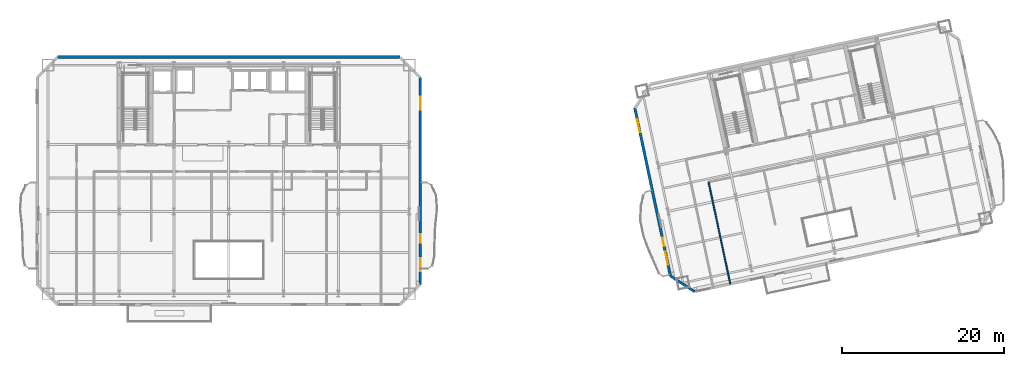
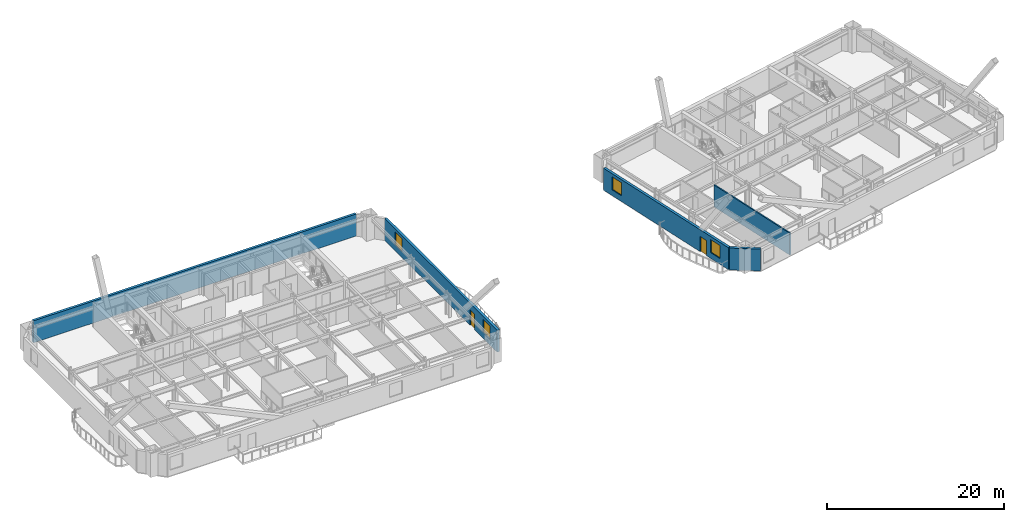
# One storey, part 7 of 15: 5 walls, 4 windows, 2 doors, 6 openings.
"""IFC4 building model written with IfcOpenShell, lengths in metres."""

from ifc_helpers import new_model, si_unit, direction, frame, frame_2d, origin, place, context, subcontext, project, spatial, rectangle, extrude, material, layer, layer_set, type_object, element, fill, save


model = new_model("IFC4")

# Units and contexts
model_context = context("Model", 3, precision=1e-05, world=origin(), true_north=direction((0.0, 1.0)))
body_context = subcontext(model_context, "Body", "Model", "MODEL_VIEW")
ifc_project = project(units=[si_unit("LENGTHUNIT", "METRE"), si_unit("AREAUNIT", "SQUARE_METRE"), si_unit("VOLUMEUNIT", "CUBIC_METRE"), si_unit("PLANEANGLEUNIT", "RADIAN"), si_unit("MASSUNIT", "GRAM", prefix="KILO")], contexts=[model_context])

# Site, building, storey
site_placement = place(None, origin())
site = spatial("IfcSite", under=ifc_project, at=site_placement, CompositionType="ELEMENT")
building_placement = place(site_placement, origin())
building = spatial("IfcBuilding", under=site, at=building_placement, Name="Haevon Station Towers", CompositionType="ELEMENT")
storey_placement = place(building_placement, frame((0.0, 0.0, 103.199951171875)))
storey = spatial("IfcBuildingStorey", under=building, at=storey_placement, Name="L27", CompositionType="ELEMENT", Elevation=103.199951171875)

# Wall
ifc_material_1 = material(Name="Precast concrete C45/55", Category="concrete")
ifc_layer_1 = layer(ifc_material_1, 0.320068359375)
ifc_layer_set_1 = layer_set([ifc_layer_1], Name="Precast concrete C45/55")
wall_type_1 = type_object("IfcWallType", Name="WL-EXT-PIER320", PredefinedType="SOLIDWALL", material=ifc_layer_set_1)
wall_1_placement = place(storey_placement, frame((16.39990234375, 49.0, 0.0), z_axis=(0.0, 0.0, 1.0), x_axis=(1.0, 0.0, 0.0)))
element("IfcWall", 1, at=wall_1_placement, inside=storey, type_object=wall_type_1, Name="WL-T1-L27-N", PredefinedType="SOLIDWALL", context=body_context, shape_type="SweptSolid", body=[
    extrude(rectangle(XDim=42.2001953125, YDim=0.320068359375, at=frame_2d((21.10009765625, 0.0))), origin(), (0.0, 0.0, 1.0), 3.030029296875),
])

# Wall, openings, door, windows
wall_2_placement = place(storey_placement, frame((61.10009765625, 46.5, 0.0), z_axis=(0.0, 0.0, 1.0), x_axis=(0.0, -1.0, 0.0)))
wall_2 = element("IfcWall", 2, at=wall_2_placement, inside=storey, type_object=wall_type_1, Name="WL-T1-L27-E", PredefinedType="SOLIDWALL", context=body_context, shape_type="SweptSolid", body=[
    extrude(rectangle(XDim=25.5, YDim=0.320068359375, at=frame_2d((12.75, 0.0))), origin(), (0.0, 0.0, 1.0), 3.030029296875),
])
opening_1_placement = place(wall_2_placement, frame((19.324951171875, 0.0, 0.0)))
opening_1 = element("IfcOpeningElement", 3, at=opening_1_placement, cuts=wall_2, Name="Opening DR-T1-SCAL-L27-E", PredefinedType="OPENING", context=body_context, shape_type="SweptSolid", body=[
    extrude(rectangle(XDim=1.050048828125, YDim=2.10009765625, at=frame_2d((0.52490234375, 1.050048828125))), frame((0.0, 0.169921875, 0.0), z_axis=(0.0, -1.0, 0.0), x_axis=(1.0, 0.0, 0.0)), (0.0, 0.0, 1.0), 0.340087890625),
])
opening_2_placement = place(wall_2_placement, frame((2.392822265625, 0.0, 0.800048828125)))
opening_2 = element("IfcOpeningElement", 4, at=opening_2_placement, cuts=wall_2, Name="Opening WN-END160", PredefinedType="OPENING", context=body_context, shape_type="SweptSolid", body=[
    extrude(rectangle(XDim=1.60009765625, YDim=1.800048828125, at=frame_2d((0.800048828125, 0.89990234375))), frame((0.0, 0.169921875, 0.0), z_axis=(0.0, -1.0, 0.0), x_axis=(1.0, 0.0, 0.0)), (0.0, 0.0, 1.0), 0.340087890625),
])
opening_3_placement = place(wall_2_placement, frame((22.3037109375, 0.0, 0.800048828125)))
opening_3 = element("IfcOpeningElement", 5, at=opening_3_placement, cuts=wall_2, Name="Opening WN-END160", PredefinedType="OPENING", context=body_context, shape_type="SweptSolid", body=[
    extrude(rectangle(XDim=1.60009765625, YDim=1.800048828125, at=frame_2d((0.800048828125, 0.89990234375))), frame((0.0, 0.169921875, 0.0), z_axis=(0.0, -1.0, 0.0), x_axis=(1.0, 0.0, 0.0)), (0.0, 0.0, 1.0), 0.340087890625),
])
ifc_material_2 = material(Name="Thermally broken anodised aluminium and laminated safety glass", Category="aluminium")
door_type = type_object("IfcDoorType", Name="DR-BALC-1050", OperationType="NOTDEFINED", PredefinedType="DOOR", material=ifc_material_2)
door_1_placement = place(opening_1_placement, origin())
door_1 = element("IfcDoor", 6, at=door_1_placement, inside=storey, type_object=door_type, Name="Tower 1 L27 East Scalloped Balcony Door", OperationType="SINGLE_SWING_LEFT", OverallHeight=2.10009765625, OverallWidth=1.050048828125, PredefinedType="DOOR", context=body_context, shape_type="SweptSolid", body=[
    extrude(rectangle(XDim=1.050048828125, YDim=2.10009765625, at=frame_2d((0.52490234375, 1.050048828125))), frame((0.0, 0.02490234375, 0.0), z_axis=(0.0, -1.0, 0.0), x_axis=(1.0, 0.0, 0.0)), (0.0, 0.0, 1.0), 0.050048828125),
])
fill(opening_1, door_1)
ifc_material_3 = material(Name="Low-E triple glazing in thermally broken aluminium", Category="aluminium")
window_type = type_object("IfcWindowType", Name="WN-END160", PartitioningType="SINGLE_PANEL", PredefinedType="WINDOW", material=ifc_material_3)
window_1_placement = place(opening_2_placement, origin())
window_1 = element("IfcWindow", 7, at=window_1_placement, inside=storey, type_object=window_type, Name="WN-T1-L27-E01", OverallHeight=1.800048828125, OverallWidth=1.60009765625, PartitioningType="SINGLE_PANEL", PredefinedType="WINDOW", context=body_context, shape_type="SweptSolid", body=[
    extrude(rectangle(XDim=1.60009765625, YDim=1.800048828125, at=frame_2d((0.800048828125, 0.89990234375))), frame((0.0, 0.030029296875, 0.0), z_axis=(0.0, -1.0, 0.0), x_axis=(1.0, 0.0, 0.0)), (0.0, 0.0, 1.0), 0.06005859375),
])
fill(opening_2, window_1)
window_2_placement = place(opening_3_placement, origin())
window_2 = element("IfcWindow", 8, at=window_2_placement, inside=storey, type_object=window_type, Name="WN-T1-L27-E02", OverallHeight=1.800048828125, OverallWidth=1.60009765625, PartitioningType="SINGLE_PANEL", PredefinedType="WINDOW", context=body_context, shape_type="SweptSolid", body=[
    extrude(rectangle(XDim=1.60009765625, YDim=1.800048828125, at=frame_2d((0.800048828125, 0.89990234375))), frame((0.0, 0.030029296875, 0.0), z_axis=(0.0, -1.0, 0.0), x_axis=(1.0, 0.0, 0.0)), (0.0, 0.0, 1.0), 0.06005859375),
])
fill(opening_3, window_2)

# Wall
wall_3_placement = place(storey_placement, frame((94.871826171875, 20.106689453125, 0.0), z_axis=(0.0, 0.0, 1.0), x_axis=(-0.838640767148, 0.544684921471, 0.0)))
element("IfcWall", 9, at=wall_3_placement, inside=storey, type_object=wall_type_1, Name="WL-T2-L27-SWC", PredefinedType="SOLIDWALL", context=body_context, shape_type="SweptSolid", body=[
    extrude(rectangle(XDim=3.53564453125, YDim=0.320068359375, at=frame_2d((1.767822265625, 0.0))), origin(), (0.0, 0.0, 1.0), 3.030029296875),
])

# Wall, openings, door, windows
wall_4_placement = place(storey_placement, frame((91.90673828125, 22.032470703125, 0.0), z_axis=(0.0, 0.0, 1.0), x_axis=(-0.207918258146, 0.978146204782, 0.0)))
wall_4 = element("IfcWall", 10, at=wall_4_placement, inside=storey, type_object=wall_type_1, Name="WL-T2-L27-W", PredefinedType="SOLIDWALL", context=body_context, shape_type="SweptSolid", body=[
    extrude(rectangle(XDim=21.14990234375, YDim=0.320068359375, at=frame_2d((10.574951171875, 0.0))), origin(), (0.0, 0.0, 1.0), 3.030029296875),
])
opening_4_placement = place(wall_4_placement, frame((3.75, 0.0, 0.0)))
opening_4 = element("IfcOpeningElement", 11, at=opening_4_placement, cuts=wall_4, Name="Opening DR-T2-SCAL-L27-W", PredefinedType="OPENING", context=body_context, shape_type="SweptSolid", body=[
    extrude(rectangle(XDim=1.050048828125, YDim=2.10009765625, at=frame_2d((0.52490234375, 1.050048828125))), frame((0.0, 0.169921875, 0.0), z_axis=(0.0, -1.0, 0.0), x_axis=(1.0, 0.0, 0.0)), (0.0, 0.0, 1.0), 0.340087890625),
])
opening_5_placement = place(wall_4_placement, frame((1.441162109375, 0.0, 0.800048828125)))
opening_5 = element("IfcOpeningElement", 12, at=opening_5_placement, cuts=wall_4, Name="Opening WN-END160", PredefinedType="OPENING", context=body_context, shape_type="SweptSolid", body=[
    extrude(rectangle(XDim=1.60009765625, YDim=1.800048828125, at=frame_2d((0.800048828125, 0.89990234375))), frame((0.0, 0.169921875, 0.0), z_axis=(0.0, -1.0, 0.0), x_axis=(1.0, 0.0, 0.0)), (0.0, 0.0, 1.0), 0.340087890625),
])
opening_6_placement = place(wall_4_placement, frame((18.10888671875, 0.0, 0.800048828125)))
opening_6 = element("IfcOpeningElement", 13, at=opening_6_placement, cuts=wall_4, Name="Opening WN-END160", PredefinedType="OPENING", context=body_context, shape_type="SweptSolid", body=[
    extrude(rectangle(XDim=1.60009765625, YDim=1.800048828125, at=frame_2d((0.800048828125, 0.89990234375))), frame((0.0, 0.169921875, 0.0), z_axis=(0.0, -1.0, 0.0), x_axis=(1.0, 0.0, 0.0)), (0.0, 0.0, 1.0), 0.340087890625),
])
door_2_placement = place(opening_4_placement, origin())
door_2 = element("IfcDoor", 14, at=door_2_placement, inside=storey, type_object=door_type, Name="Tower 2 L27 West Scalloped Balcony Door", OperationType="SINGLE_SWING_RIGHT", OverallHeight=2.10009765625, OverallWidth=1.050048828125, PredefinedType="DOOR", context=body_context, shape_type="SweptSolid", body=[
    extrude(rectangle(XDim=1.050048828125, YDim=2.10009765625, at=frame_2d((0.52490234375, 1.050048828125))), frame((0.0, 0.02490234375, 0.0), z_axis=(0.0, -1.0, 0.0), x_axis=(1.0, 0.0, 0.0)), (0.0, 0.0, 1.0), 0.050048828125),
])
fill(opening_4, door_2)
window_3_placement = place(opening_5_placement, origin())
window_3 = element("IfcWindow", 15, at=window_3_placement, inside=storey, type_object=window_type, Name="WN-T2-L27-W01", OverallHeight=1.800048828125, OverallWidth=1.60009765625, PartitioningType="SINGLE_PANEL", PredefinedType="WINDOW", context=body_context, shape_type="SweptSolid", body=[
    extrude(rectangle(XDim=1.60009765625, YDim=1.800048828125, at=frame_2d((0.800048828125, 0.89990234375))), frame((0.0, 0.030029296875, 0.0), z_axis=(0.0, -1.0, 0.0), x_axis=(1.0, 0.0, 0.0)), (0.0, 0.0, 1.0), 0.06005859375),
])
fill(opening_5, window_3)
window_4_placement = place(opening_6_placement, origin())
window_4 = element("IfcWindow", 16, at=window_4_placement, inside=storey, type_object=window_type, Name="WN-T2-L27-W02", OverallHeight=1.800048828125, OverallWidth=1.60009765625, PartitioningType="SINGLE_PANEL", PredefinedType="WINDOW", context=body_context, shape_type="SweptSolid", body=[
    extrude(rectangle(XDim=1.60009765625, YDim=1.800048828125, at=frame_2d((0.800048828125, 0.89990234375))), frame((0.0, 0.030029296875, 0.0), z_axis=(0.0, -1.0, 0.0), x_axis=(1.0, 0.0, 0.0)), (0.0, 0.0, 1.0), 0.06005859375),
])
fill(opening_6, window_4)

# Wall
ifc_material_4 = material(Name="Gypsum board on steel stud", Category="steel")
ifc_layer_2 = layer(ifc_material_4, 0.159912109375)
ifc_layer_set_2 = layer_set([ifc_layer_2], Name="Gypsum board on steel stud")
wall_type_2 = type_object("IfcWallType", Name="WL-PRT160", PredefinedType="PARTITIONING", material=ifc_layer_set_2)
wall_5_placement = place(storey_placement, frame((99.2734375, 21.04248046875, 0.0), z_axis=(0.0, 0.0, 1.0), x_axis=(-0.207910791646, 0.978147791858, 0.0)))
element("IfcWall", 17, at=wall_5_placement, inside=storey, type_object=wall_type_2, Name="WL-T2PT-L27-01", PredefinedType="PARTITIONING", context=body_context, shape_type="SweptSolid", body=[
    extrude(rectangle(XDim=12.849853515625, YDim=0.159912109375, at=frame_2d((6.4248046875, 0.0))), origin(), (0.0, 0.0, 1.0), 3.030029296875),
])

save(model, "model.ifc")
